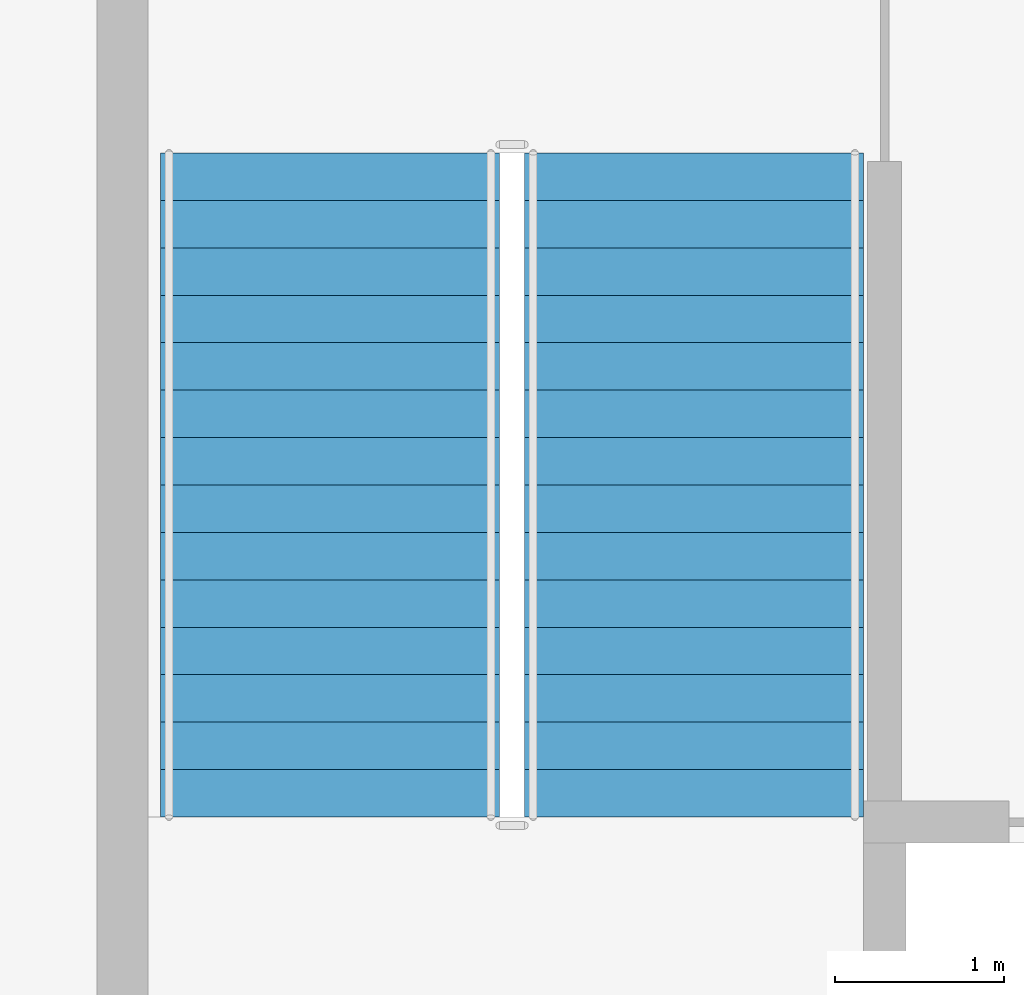
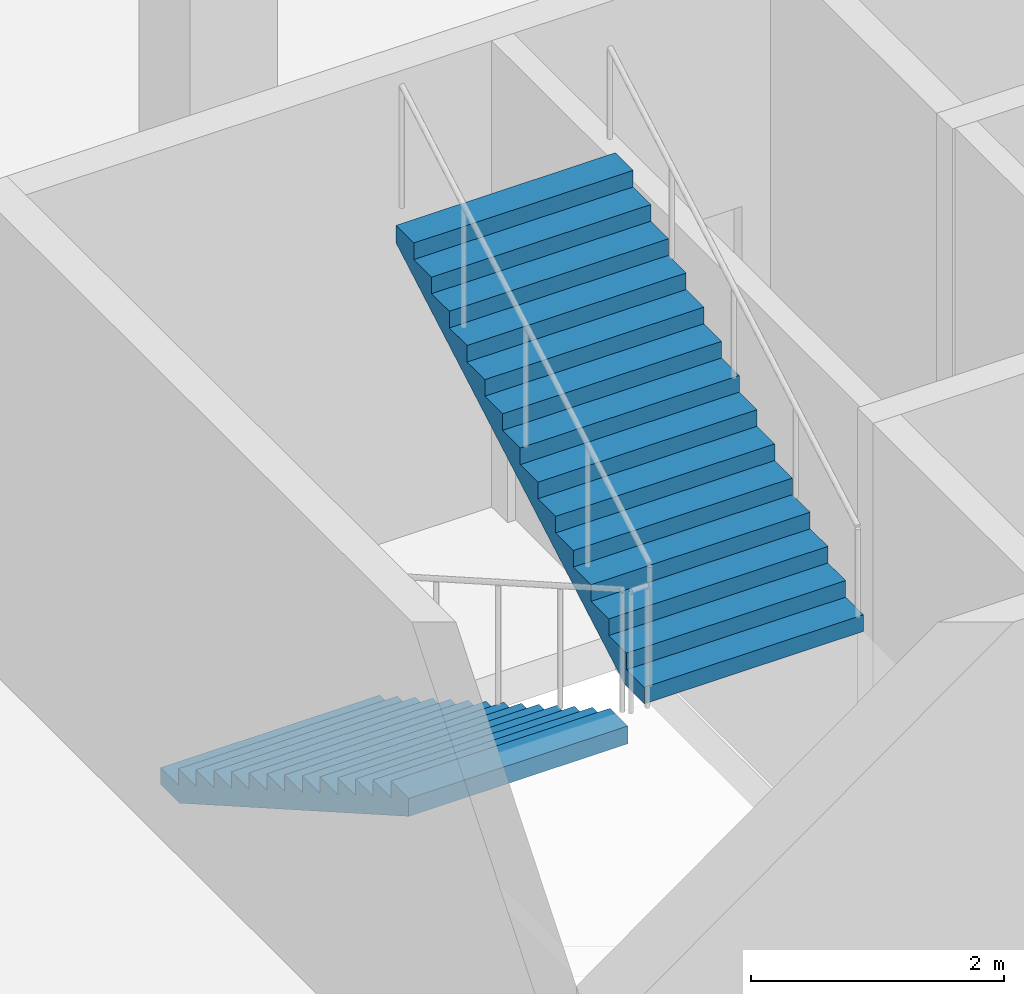
# One storey, part 9 of 13: 2 stair flights, 1 element without a shape of its own.
"""IFC4 building model written with IfcOpenShell, lengths in metres."""

import ifcopenshell
import ifcopenshell.guid

model = None  # the IFC model being written
_history = None  # IfcOwnerHistory: only IFC2X3 demands one
_inside = {}  # id of a spatial element -> (the spatial element, [elements in it])
_under = {}  # id of a project, library or spatial element -> (it, [spatial elements below it])
_declared = {}  # id of a project -> (the project, [libraries it declares])
_typed = {}  # id of a type object -> (the type object, [elements of that type])
_made_of = {}  # id of a material, layer set ... -> (it, [elements and type objects made of it])


def new_model(schema):
    """Start an empty IFC model of exactly this schema.

    Asked for "IFC4X3", IfcOpenShell would pick the latest addendum, in which some entities
    have other attributes; the version numbers below select the first issue.
    IFC2X3 requires an IfcOwnerHistory on every rooted entity: one is made here for all.
    """
    global model, _history
    if schema == "IFC4X3":
        model = ifcopenshell.file(schema_version=(4, 3, 0, 0))
    else:
        model = ifcopenshell.file(schema=schema)
    _inside.clear()
    _under.clear()
    _declared.clear()
    _typed.clear()
    _made_of.clear()
    _history = None
    if model.schema == "IFC2X3":
        org = make("IfcOrganization", Name="unknown")
        user = make(
            "IfcPersonAndOrganization",
            ThePerson=make("IfcPerson", FamilyName="unknown"),
            TheOrganization=org,
        )
        app = make(
            "IfcApplication",
            ApplicationDeveloper=org,
            Version="unknown",
            ApplicationFullName="unknown",
            ApplicationIdentifier="unknown",
        )
        _history = make(
            "IfcOwnerHistory",
            OwningUser=user,
            OwningApplication=app,
            ChangeAction="ADDED",
            CreationDate=0,
        )
    return model


def make(cls, **values):
    """One entity of the class cls with the attributes given. An attribute that is None is left unset."""
    return model.create_entity(
        cls, **{name: value for name, value in values.items() if value is not None}
    )


def rooted(cls, **values):
    """An entity with a GlobalId (a new one), such as an element, a storey or a relation."""
    return make(cls, GlobalId=ifcopenshell.guid.new(), OwnerHistory=_history, **values)


def si_unit(unit_type, name, prefix=None):
    """IfcSIUnit, for example si_unit("LENGTHUNIT", "METRE", prefix="MILLI")."""
    return make("IfcSIUnit", UnitType=unit_type, Prefix=prefix, Name=name)


def assignment(units):
    """IfcUnitAssignment: the units of a project."""
    return None if units is None else make("IfcUnitAssignment", Units=units)


def point(xyz):
    """IfcCartesianPoint."""
    return None if xyz is None else make("IfcCartesianPoint", Coordinates=xyz)


def direction(xyz):
    """IfcDirection."""
    return None if xyz is None else make("IfcDirection", DirectionRatios=xyz)


def frame(location, z_axis=None, x_axis=None):
    """IfcAxis2Placement3D, a coordinate frame: its origin and axes. An axis left out is left unset."""
    return make(
        "IfcAxis2Placement3D",
        Location=point(location),
        Axis=direction(z_axis),
        RefDirection=direction(x_axis),
    )


def origin():
    """The frame at (0, 0, 0) with its axes left unset."""
    return frame((0.0, 0.0, 0.0))


def place(relative_to, where):
    """IfcLocalPlacement: puts the frame where relative to a parent placement (None: the world)."""
    return make(
        "IfcLocalPlacement", PlacementRelTo=relative_to, RelativePlacement=where
    )


def context(
    kind, dimensions, precision=None, world=None, true_north=None, identifier=None
):
    """IfcGeometricRepresentationContext, for example the 3D "Model" context."""
    return make(
        "IfcGeometricRepresentationContext",
        ContextIdentifier=identifier,
        ContextType=kind,
        CoordinateSpaceDimension=dimensions,
        Precision=precision,
        WorldCoordinateSystem=world,
        TrueNorth=true_north,
    )


def subcontext(parent, identifier, kind, view, scale=None):
    """IfcGeometricRepresentationSubContext, for example "Body" below "Model"."""
    return make(
        "IfcGeometricRepresentationSubContext",
        ContextIdentifier=identifier,
        ContextType=kind,
        ParentContext=parent,
        TargetScale=scale,
        TargetView=view,
    )


def project(units=None, contexts=None):
    """IfcProject with its units and contexts."""
    return rooted(
        "IfcProject",
        Name="project",
        RepresentationContexts=contexts,
        UnitsInContext=assignment(units),
    )


def spatial(cls, under=None, at=None, **own):
    """A site, building, storey or space (cls), placed at a placement, below another one or the project."""
    s = rooted(cls, ObjectPlacement=at, **own)
    if under is not None:
        _under.setdefault(under.id(), (under, []))[1].append(s)
    return s


def point_list(points):
    """IfcCartesianPointList2D or 3D."""
    cls = (
        "IfcCartesianPointList2D" if len(points[0]) == 2 else "IfcCartesianPointList3D"
    )
    return make(cls, CoordList=points)


def polygons(points, faces, closed=None, point_numbers=None):
    """IfcPolygonalFaceSet: a face is its outer loop, then its inner loops; points numbered from 1."""
    made = []
    for loops in faces:
        if len(loops) == 1:
            made.append(make("IfcIndexedPolygonalFace", CoordIndex=loops[0]))
        else:
            made.append(
                make(
                    "IfcIndexedPolygonalFaceWithVoids",
                    CoordIndex=loops[0],
                    InnerCoordIndices=loops[1:],
                )
            )
    return make(
        "IfcPolygonalFaceSet",
        Coordinates=point_list(points),
        Closed=closed,
        Faces=made,
        PnIndex=point_numbers,
    )


def shape(context_of_items, identifier, shape_type, items):
    """IfcShapeRepresentation: the items that make up one representation, for example the "Body"."""
    return make(
        "IfcShapeRepresentation",
        ContextOfItems=context_of_items,
        RepresentationIdentifier=identifier,
        RepresentationType=shape_type,
        Items=items,
    )


def material(Name=None, Category=None):
    """IfcMaterial."""
    return make("IfcMaterial", Name=Name, Category=Category)


def made_of(thing, what):
    """Note that an element or type object is made of a material, layer set ...; save() writes the relation."""
    if what is not None:
        _made_of.setdefault(what.id(), (what, []))[1].append(thing)
    return thing


def type_object(cls, material=None, **own):
    """A type object (cls), such as IfcWallType, which elements share."""
    return made_of(rooted(cls, **own), material)


def element(
    cls,
    number,
    at=None,
    inside=None,
    cuts=None,
    type_object=None,
    material=None,
    context=None,
    identifier="Body",
    shape_type=None,
    held_by="IfcProductDefinitionShape",
    body=None,
    shapes=None,
    **own,
):
    """One element of the class cls, such as IfcWall. Its Tag is "e" and its number.

    at: its placement. inside: the storey or other place that contains it. cuts: it is an
    opening in that element (IfcRelVoidsElement). A single representation is given by context,
    identifier, shape_type and body (its items); several are given by shapes. held_by: the class
    of the entity that holds the representations. save() writes the other relations.
    """
    e = rooted(cls, Tag="e%d" % number, ObjectPlacement=at, **own)
    if body is not None:
        shapes = [shape(context, identifier, shape_type, body)]
    if shapes is not None:
        e.Representation = make(held_by, Representations=shapes)
    if inside is not None:
        _inside.setdefault(inside.id(), (inside, []))[1].append(e)
    if cuts is not None:
        rooted(
            "IfcRelVoidsElement", RelatingBuildingElement=cuts, RelatedOpeningElement=e
        )
    if type_object is not None:
        _typed.setdefault(type_object.id(), (type_object, []))[1].append(e)
    return made_of(e, material)


def aggregate(whole, parts):
    """IfcRelAggregates: a whole, such as a stair, and the parts it consists of."""
    return rooted("IfcRelAggregates", RelatingObject=whole, RelatedObjects=parts)


def save(model, path):
    """Write the relations noted so far, then the file.

    IfcRelAggregates (storeys below a building ...), IfcRelContainedInSpatialStructure (elements
    in a storey), IfcRelDefinesByType, IfcRelAssociatesMaterial and IfcRelDeclares: one each for
    every whole, place, type object, material and project.
    """
    for whole, parts in _under.values():
        aggregate(whole, parts)
    for where, things in _inside.values():
        rooted(
            "IfcRelContainedInSpatialStructure",
            RelatedElements=things,
            RelatingStructure=where,
        )
    for kind, things in _typed.values():
        rooted("IfcRelDefinesByType", RelatedObjects=things, RelatingType=kind)
    for what, things in _made_of.values():
        rooted("IfcRelAssociatesMaterial", RelatedObjects=things, RelatingMaterial=what)
    for by, libraries in _declared.values():
        rooted("IfcRelDeclares", RelatingContext=by, RelatedDefinitions=libraries)
    model.write(path)


model = new_model("IFC4")

# Units and contexts
model_context = context("Model", 3, precision=1e-05, world=origin(), true_north=direction((0.0, 1.0)))
body_context = subcontext(model_context, "Body", "Model", "MODEL_VIEW")
ifc_project = project(units=[si_unit("LENGTHUNIT", "METRE"), si_unit("AREAUNIT", "SQUARE_METRE"), si_unit("VOLUMEUNIT", "CUBIC_METRE"), si_unit("PLANEANGLEUNIT", "RADIAN"), si_unit("MASSUNIT", "GRAM", prefix="KILO")], contexts=[model_context])

# Site, building, storey
site_placement = place(None, origin())
site = spatial("IfcSite", under=ifc_project, at=site_placement, CompositionType="ELEMENT")
building_placement = place(site_placement, origin())
building = spatial("IfcBuilding", under=site, at=building_placement, Name="Caravel Reach Hotel and Residences", CompositionType="ELEMENT")
storey_placement = place(building_placement, frame((0.0, 0.0, 28.800048828125)))
storey = spatial("IfcBuildingStorey", under=building, at=storey_placement, Name="L05", CompositionType="ELEMENT", Elevation=28.800048828125)

# Stair, stair flights
ifc_material_1 = material(Name="Concrete C40", Category="concrete")
stair_type = type_object("IfcStairType", Name="Core stair", PredefinedType="HALF_TURN_STAIR", material=ifc_material_1)
stair_placement = place(storey_placement, origin())
stair = element("IfcStair", 1, at=stair_placement, inside=storey, type_object=stair_type, Name="L05 Exit stair A", PredefinedType="HALF_TURN_STAIR")
ifc_material_2 = material(Name="Concrete C40", Category="concrete")
stair_flight_type = type_object("IfcStairFlightType", Name="Core stair flight", PredefinedType="STRAIGHT", material=ifc_material_2)
stair_flight_1_placement = place(storey_placement, frame((19.22509765625, 29.35009765625, 0.0), z_axis=(0.0, 0.0, 1.0), x_axis=(0.0, -1.0, 0.0)))
stair_flight_1 = element("IfcStairFlight", 2, at=stair_flight_1_placement, type_object=stair_flight_type, Name="ST-A flight 1", NumberOfRisers=15, NumberOfTreads=14, PredefinedType="STRAIGHT", RiserHeight=0.16, TreadLength=0.28, context=body_context, shape_type="Tessellation", body=[
    polygons([(0.30213783309663755, 1.0, 0.0), (0.30213783309663755, 0.6666666666666667, 0.0), (0.30213783309663755, 0.33333333333333337, 0.0), (0.30213783309663755, 0.0, 0.0), (0.30213783309663755, -0.33333333333333326, 0.0), (0.30213783309663755, -0.6666666666666667, 0.0), (0.30213783309663755, -1.0, 0.0), (3.9210000000000003, 1.0, 2.0673498096590643), (3.9210000000000003, 0.6666666666666667, 2.0673498096590643), (3.9210000000000003, 0.33333333333333337, 2.0673498096590643), (3.9210000000000003, 0.0, 2.0673498096590643), (3.9210000000000003, -0.33333333333333326, 2.0673498096590643), (3.9210000000000003, -0.6666666666666667, 2.0673498096590643), (3.9210000000000003, -1.0, 2.0673498096590643), (3.9210000000000003, 1.0, 2.24), (3.9210000000000003, 0.6666666666666667, 2.24), (3.9210000000000003, 0.33333333333333337, 2.24), (3.9210000000000003, 0.0, 2.24), (3.9210000000000003, -0.33333333333333326, 2.24), (3.9210000000000003, -0.6666666666666667, 2.24), (3.9210000000000003, -1.0, 2.24), (3.6400000000000006, 1.0, 2.24), (3.6400000000000006, 0.6666666666666667, 2.24), (3.6400000000000006, 0.33333333333333337, 2.24), (3.6400000000000006, 0.0, 2.24), (3.6400000000000006, -0.33333333333333326, 2.24), (3.6400000000000006, -0.6666666666666667, 2.24), (3.6400000000000006, -1.0, 2.24), (3.6400000000000006, 1.0, 2.08), (3.6400000000000006, 0.6666666666666667, 2.08), (3.6400000000000006, 0.33333333333333337, 2.08), (3.6400000000000006, 0.0, 2.08), (3.6400000000000006, -0.33333333333333326, 2.08), (3.6400000000000006, -0.6666666666666667, 2.08), (3.6400000000000006, -1.0, 2.08), (3.3600000000000003, 1.0, 2.08), (3.3600000000000003, 0.6666666666666667, 2.08), (3.3600000000000003, 0.33333333333333337, 2.08), (3.3600000000000003, 0.0, 2.08), (3.3600000000000003, -0.33333333333333326, 2.08), (3.3600000000000003, -0.6666666666666667, 2.08), (3.3600000000000003, -1.0, 2.08), (3.3600000000000003, 1.0, 1.92), (3.3600000000000003, 0.6666666666666667, 1.92), (3.3600000000000003, 0.33333333333333337, 1.92), (3.3600000000000003, 0.0, 1.92), (3.3600000000000003, -0.33333333333333326, 1.92), (3.3600000000000003, -0.6666666666666667, 1.92), (3.3600000000000003, -1.0, 1.92), (3.08, 1.0, 1.92), (3.08, 0.6666666666666667, 1.92), (3.08, 0.33333333333333337, 1.92), (3.08, 0.0, 1.92), (3.08, -0.33333333333333326, 1.92), (3.08, -0.6666666666666667, 1.92), (3.08, -1.0, 1.92), (3.08, 1.0, 1.76), (3.08, 0.6666666666666667, 1.76), (3.08, 0.33333333333333337, 1.76), (3.08, 0.0, 1.76), (3.08, -0.33333333333333326, 1.76), (3.08, -0.6666666666666667, 1.76), (3.08, -1.0, 1.76), (2.8000000000000003, 1.0, 1.76), (2.8000000000000003, 0.6666666666666667, 1.76), (2.8000000000000003, 0.33333333333333337, 1.76), (2.8000000000000003, 0.0, 1.76), (2.8000000000000003, -0.33333333333333326, 1.76), (2.8000000000000003, -0.6666666666666667, 1.76), (2.8000000000000003, -1.0, 1.76), (2.8000000000000003, 1.0, 1.6), (2.8000000000000003, 0.6666666666666667, 1.6), (2.8000000000000003, 0.33333333333333337, 1.6), (2.8000000000000003, 0.0, 1.6), (2.8000000000000003, -0.33333333333333326, 1.6), (2.8000000000000003, -0.6666666666666667, 1.6), (2.8000000000000003, -1.0, 1.6), (2.5200000000000005, 1.0, 1.6), (2.5200000000000005, 0.6666666666666667, 1.6), (2.5200000000000005, 0.33333333333333337, 1.6), (2.5200000000000005, 0.0, 1.6), (2.5200000000000005, -0.33333333333333326, 1.6), (2.5200000000000005, -0.6666666666666667, 1.6), (2.5200000000000005, -1.0, 1.6), (2.5200000000000005, 1.0, 1.44), (2.5200000000000005, 0.6666666666666667, 1.44), (2.5200000000000005, 0.33333333333333337, 1.44), (2.5200000000000005, 0.0, 1.44), (2.5200000000000005, -0.33333333333333326, 1.44), (2.5200000000000005, -0.6666666666666667, 1.44), (2.5200000000000005, -1.0, 1.44), (2.24, 1.0, 1.44), (2.24, 0.6666666666666667, 1.44), (2.24, 0.33333333333333337, 1.44), (2.24, 0.0, 1.44), (2.24, -0.33333333333333326, 1.44), (2.24, -0.6666666666666667, 1.44), (2.24, -1.0, 1.44), (2.24, 1.0, 1.28), (2.24, 0.6666666666666667, 1.28), (2.24, 0.33333333333333337, 1.28), (2.24, 0.0, 1.28), (2.24, -0.33333333333333326, 1.28), (2.24, -0.6666666666666667, 1.28), (2.24, -1.0, 1.28), (1.9600000000000002, 1.0, 1.28), (1.9600000000000002, 0.6666666666666667, 1.28), (1.9600000000000002, 0.33333333333333337, 1.28), (1.9600000000000002, 0.0, 1.28), (1.9600000000000002, -0.33333333333333326, 1.28), (1.9600000000000002, -0.6666666666666667, 1.28), (1.9600000000000002, -1.0, 1.28), (1.9600000000000002, 1.0, 1.12), (1.9600000000000002, 0.6666666666666667, 1.12), (1.9600000000000002, 0.33333333333333337, 1.12), (1.9600000000000002, 0.0, 1.12), (1.9600000000000002, -0.33333333333333326, 1.12), (1.9600000000000002, -0.6666666666666667, 1.12), (1.9600000000000002, -1.0, 1.12), (1.6800000000000002, 1.0, 1.12), (1.6800000000000002, 0.6666666666666667, 1.12), (1.6800000000000002, 0.33333333333333337, 1.12), (1.6800000000000002, 0.0, 1.12), (1.6800000000000002, -0.33333333333333326, 1.12), (1.6800000000000002, -0.6666666666666667, 1.12), (1.6800000000000002, -1.0, 1.12), (1.6800000000000002, 1.0, 0.96), (1.6800000000000002, 0.6666666666666667, 0.96), (1.6800000000000002, 0.33333333333333337, 0.96), (1.6800000000000002, 0.0, 0.96), (1.6800000000000002, -0.33333333333333326, 0.96), (1.6800000000000002, -0.6666666666666667, 0.96), (1.6800000000000002, -1.0, 0.96), (1.4000000000000001, 1.0, 0.96), (1.4000000000000001, 0.6666666666666667, 0.96), (1.4000000000000001, 0.33333333333333337, 0.96), (1.4000000000000001, 0.0, 0.96), (1.4000000000000001, -0.33333333333333326, 0.96), (1.4000000000000001, -0.6666666666666667, 0.96), (1.4000000000000001, -1.0, 0.96), (1.4000000000000001, 1.0, 0.8), (1.4000000000000001, 0.6666666666666667, 0.8), (1.4000000000000001, 0.33333333333333337, 0.8), (1.4000000000000001, 0.0, 0.8), (1.4000000000000001, -0.33333333333333326, 0.8), (1.4000000000000001, -0.6666666666666667, 0.8), (1.4000000000000001, -1.0, 0.8), (1.12, 1.0, 0.8), (1.12, 0.6666666666666667, 0.8), (1.12, 0.33333333333333337, 0.8), (1.12, 0.0, 0.8), (1.12, -0.33333333333333326, 0.8), (1.12, -0.6666666666666667, 0.8), (1.12, -1.0, 0.8), (1.12, 1.0, 0.64), (1.12, 0.6666666666666667, 0.64), (1.12, 0.33333333333333337, 0.64), (1.12, 0.0, 0.64), (1.12, -0.33333333333333326, 0.64), (1.12, -0.6666666666666667, 0.64), (1.12, -1.0, 0.64), (0.8400000000000001, 1.0, 0.64), (0.8400000000000001, 0.6666666666666667, 0.64), (0.8400000000000001, 0.33333333333333337, 0.64), (0.8400000000000001, 0.0, 0.64), (0.8400000000000001, -0.33333333333333326, 0.64), (0.8400000000000001, -0.6666666666666667, 0.64), (0.8400000000000001, -1.0, 0.64), (0.8400000000000001, 1.0, 0.48), (0.8400000000000001, 0.6666666666666667, 0.48), (0.8400000000000001, 0.33333333333333337, 0.48), (0.8400000000000001, 0.0, 0.48), (0.8400000000000001, -0.33333333333333326, 0.48), (0.8400000000000001, -0.6666666666666667, 0.48), (0.8400000000000001, -1.0, 0.48), (0.56, 1.0, 0.48), (0.56, 0.6666666666666667, 0.48), (0.56, 0.33333333333333337, 0.48), (0.56, 0.0, 0.48), (0.56, -0.33333333333333326, 0.48), (0.56, -0.6666666666666667, 0.48), (0.56, -1.0, 0.48), (0.56, 1.0, 0.32), (0.56, 0.6666666666666667, 0.32), (0.56, 0.33333333333333337, 0.32), (0.56, 0.0, 0.32), (0.56, -0.33333333333333326, 0.32), (0.56, -0.6666666666666667, 0.32), (0.56, -1.0, 0.32), (0.28, 1.0, 0.32), (0.28, 0.6666666666666667, 0.32), (0.28, 0.33333333333333337, 0.32), (0.28, 0.0, 0.32), (0.28, -0.33333333333333326, 0.32), (0.28, -0.6666666666666667, 0.32), (0.28, -1.0, 0.32), (0.28, 1.0, 0.16), (0.28, 0.6666666666666667, 0.16), (0.28, 0.33333333333333337, 0.16), (0.28, 0.0, 0.16), (0.28, -0.33333333333333326, 0.16), (0.28, -0.6666666666666667, 0.16), (0.28, -1.0, 0.16), (-0.001, 1.0, 0.16), (-0.001, 0.6666666666666667, 0.16), (-0.001, 0.33333333333333337, 0.16), (-0.001, 0.0, 0.16), (-0.001, -0.33333333333333326, 0.16), (-0.001, -0.6666666666666667, 0.16), (-0.001, -1.0, 0.16), (-0.001, 1.0, 0.0), (-0.001, 0.6666666666666667, 0.0), (-0.001, 0.33333333333333337, 0.0), (-0.001, 0.0, 0.0), (-0.001, -0.33333333333333326, 0.0), (-0.001, -0.6666666666666667, 0.0), (-0.001, -1.0, 0.0)], [[[211, 204, 197, 190, 183, 176, 169, 162, 155, 148, 141, 134, 127, 120, 113, 106, 99, 92, 85, 78, 71, 64, 57, 50, 43, 36, 29, 22, 15, 8, 1]], [[7, 14, 21, 28, 35, 42, 49, 56, 63, 70, 77, 84, 91, 98, 105, 112, 119, 126, 133, 140, 147, 154, 161, 168, 175, 182, 189, 196, 203, 210, 217]], [[1, 8, 9, 2]], [[2, 9, 10, 3]], [[3, 10, 11, 4]], [[4, 11, 12, 5]], [[5, 12, 13, 6]], [[6, 13, 14, 7]], [[8, 15, 16, 9]], [[9, 16, 17, 10]], [[10, 17, 18, 11]], [[11, 18, 19, 12]], [[12, 19, 20, 13]], [[13, 20, 21, 14]], [[15, 22, 23, 16]], [[16, 23, 24, 17]], [[17, 24, 25, 18]], [[18, 25, 26, 19]], [[19, 26, 27, 20]], [[20, 27, 28, 21]], [[22, 29, 30, 23]], [[23, 30, 31, 24]], [[24, 31, 32, 25]], [[25, 32, 33, 26]], [[26, 33, 34, 27]], [[27, 34, 35, 28]], [[29, 36, 37, 30]], [[30, 37, 38, 31]], [[31, 38, 39, 32]], [[32, 39, 40, 33]], [[33, 40, 41, 34]], [[34, 41, 42, 35]], [[36, 43, 44, 37]], [[37, 44, 45, 38]], [[38, 45, 46, 39]], [[39, 46, 47, 40]], [[40, 47, 48, 41]], [[41, 48, 49, 42]], [[43, 50, 51, 44]], [[44, 51, 52, 45]], [[45, 52, 53, 46]], [[46, 53, 54, 47]], [[47, 54, 55, 48]], [[48, 55, 56, 49]], [[50, 57, 58, 51]], [[51, 58, 59, 52]], [[52, 59, 60, 53]], [[53, 60, 61, 54]], [[54, 61, 62, 55]], [[55, 62, 63, 56]], [[57, 64, 65, 58]], [[58, 65, 66, 59]], [[59, 66, 67, 60]], [[60, 67, 68, 61]], [[61, 68, 69, 62]], [[62, 69, 70, 63]], [[64, 71, 72, 65]], [[65, 72, 73, 66]], [[66, 73, 74, 67]], [[67, 74, 75, 68]], [[68, 75, 76, 69]], [[69, 76, 77, 70]], [[71, 78, 79, 72]], [[72, 79, 80, 73]], [[73, 80, 81, 74]], [[74, 81, 82, 75]], [[75, 82, 83, 76]], [[76, 83, 84, 77]], [[78, 85, 86, 79]], [[79, 86, 87, 80]], [[80, 87, 88, 81]], [[81, 88, 89, 82]], [[82, 89, 90, 83]], [[83, 90, 91, 84]], [[85, 92, 93, 86]], [[86, 93, 94, 87]], [[87, 94, 95, 88]], [[88, 95, 96, 89]], [[89, 96, 97, 90]], [[90, 97, 98, 91]], [[92, 99, 100, 93]], [[93, 100, 101, 94]], [[94, 101, 102, 95]], [[95, 102, 103, 96]], [[96, 103, 104, 97]], [[97, 104, 105, 98]], [[99, 106, 107, 100]], [[100, 107, 108, 101]], [[101, 108, 109, 102]], [[102, 109, 110, 103]], [[103, 110, 111, 104]], [[104, 111, 112, 105]], [[106, 113, 114, 107]], [[107, 114, 115, 108]], [[108, 115, 116, 109]], [[109, 116, 117, 110]], [[110, 117, 118, 111]], [[111, 118, 119, 112]], [[113, 120, 121, 114]], [[114, 121, 122, 115]], [[115, 122, 123, 116]], [[116, 123, 124, 117]], [[117, 124, 125, 118]], [[118, 125, 126, 119]], [[120, 127, 128, 121]], [[121, 128, 129, 122]], [[122, 129, 130, 123]], [[123, 130, 131, 124]], [[124, 131, 132, 125]], [[125, 132, 133, 126]], [[127, 134, 135, 128]], [[128, 135, 136, 129]], [[129, 136, 137, 130]], [[130, 137, 138, 131]], [[131, 138, 139, 132]], [[132, 139, 140, 133]], [[134, 141, 142, 135]], [[135, 142, 143, 136]], [[136, 143, 144, 137]], [[137, 144, 145, 138]], [[138, 145, 146, 139]], [[139, 146, 147, 140]], [[141, 148, 149, 142]], [[142, 149, 150, 143]], [[143, 150, 151, 144]], [[144, 151, 152, 145]], [[145, 152, 153, 146]], [[146, 153, 154, 147]], [[148, 155, 156, 149]], [[149, 156, 157, 150]], [[150, 157, 158, 151]], [[151, 158, 159, 152]], [[152, 159, 160, 153]], [[153, 160, 161, 154]], [[155, 162, 163, 156]], [[156, 163, 164, 157]], [[157, 164, 165, 158]], [[158, 165, 166, 159]], [[159, 166, 167, 160]], [[160, 167, 168, 161]], [[162, 169, 170, 163]], [[163, 170, 171, 164]], [[164, 171, 172, 165]], [[165, 172, 173, 166]], [[166, 173, 174, 167]], [[167, 174, 175, 168]], [[169, 176, 177, 170]], [[170, 177, 178, 171]], [[171, 178, 179, 172]], [[172, 179, 180, 173]], [[173, 180, 181, 174]], [[174, 181, 182, 175]], [[176, 183, 184, 177]], [[177, 184, 185, 178]], [[178, 185, 186, 179]], [[179, 186, 187, 180]], [[180, 187, 188, 181]], [[181, 188, 189, 182]], [[183, 190, 191, 184]], [[184, 191, 192, 185]], [[185, 192, 193, 186]], [[186, 193, 194, 187]], [[187, 194, 195, 188]], [[188, 195, 196, 189]], [[190, 197, 198, 191]], [[191, 198, 199, 192]], [[192, 199, 200, 193]], [[193, 200, 201, 194]], [[194, 201, 202, 195]], [[195, 202, 203, 196]], [[197, 204, 205, 198]], [[198, 205, 206, 199]], [[199, 206, 207, 200]], [[200, 207, 208, 201]], [[201, 208, 209, 202]], [[202, 209, 210, 203]], [[204, 211, 212, 205]], [[205, 212, 213, 206]], [[206, 213, 214, 207]], [[207, 214, 215, 208]], [[208, 215, 216, 209]], [[209, 216, 217, 210]], [[211, 1, 2, 212]], [[212, 2, 3, 213]], [[213, 3, 4, 214]], [[214, 4, 5, 215]], [[215, 5, 6, 216]], [[216, 6, 7, 217]]], closed=True),
])
stair_flight_2_placement = place(storey_placement, frame((21.375, 25.429931640625, 2.39990234375), z_axis=(0.0, 0.0, 1.0), x_axis=(0.0, 1.0, 0.0)))
stair_flight_2 = element("IfcStairFlight", 3, at=stair_flight_2_placement, type_object=stair_flight_type, Name="ST-A flight 2", NumberOfRisers=15, NumberOfTreads=14, PredefinedType="STRAIGHT", RiserHeight=0.16, TreadLength=0.28, context=body_context, shape_type="Tessellation", body=[
    polygons([(0.30213783309663755, 1.0, 0.0), (0.30213783309663755, 0.6666666666666667, 0.0), (0.30213783309663755, 0.33333333333333337, 0.0), (0.30213783309663755, 0.0, 0.0), (0.30213783309663755, -0.33333333333333326, 0.0), (0.30213783309663755, -0.6666666666666667, 0.0), (0.30213783309663755, -1.0, 0.0), (3.9210000000000003, 1.0, 2.0673498096590643), (3.9210000000000003, 0.6666666666666667, 2.0673498096590643), (3.9210000000000003, 0.33333333333333337, 2.0673498096590643), (3.9210000000000003, 0.0, 2.0673498096590643), (3.9210000000000003, -0.33333333333333326, 2.0673498096590643), (3.9210000000000003, -0.6666666666666667, 2.0673498096590643), (3.9210000000000003, -1.0, 2.0673498096590643), (3.9210000000000003, 1.0, 2.24), (3.9210000000000003, 0.6666666666666667, 2.24), (3.9210000000000003, 0.33333333333333337, 2.24), (3.9210000000000003, 0.0, 2.24), (3.9210000000000003, -0.33333333333333326, 2.24), (3.9210000000000003, -0.6666666666666667, 2.24), (3.9210000000000003, -1.0, 2.24), (3.6400000000000006, 1.0, 2.24), (3.6400000000000006, 0.6666666666666667, 2.24), (3.6400000000000006, 0.33333333333333337, 2.24), (3.6400000000000006, 0.0, 2.24), (3.6400000000000006, -0.33333333333333326, 2.24), (3.6400000000000006, -0.6666666666666667, 2.24), (3.6400000000000006, -1.0, 2.24), (3.6400000000000006, 1.0, 2.08), (3.6400000000000006, 0.6666666666666667, 2.08), (3.6400000000000006, 0.33333333333333337, 2.08), (3.6400000000000006, 0.0, 2.08), (3.6400000000000006, -0.33333333333333326, 2.08), (3.6400000000000006, -0.6666666666666667, 2.08), (3.6400000000000006, -1.0, 2.08), (3.3600000000000003, 1.0, 2.08), (3.3600000000000003, 0.6666666666666667, 2.08), (3.3600000000000003, 0.33333333333333337, 2.08), (3.3600000000000003, 0.0, 2.08), (3.3600000000000003, -0.33333333333333326, 2.08), (3.3600000000000003, -0.6666666666666667, 2.08), (3.3600000000000003, -1.0, 2.08), (3.3600000000000003, 1.0, 1.92), (3.3600000000000003, 0.6666666666666667, 1.92), (3.3600000000000003, 0.33333333333333337, 1.92), (3.3600000000000003, 0.0, 1.92), (3.3600000000000003, -0.33333333333333326, 1.92), (3.3600000000000003, -0.6666666666666667, 1.92), (3.3600000000000003, -1.0, 1.92), (3.08, 1.0, 1.92), (3.08, 0.6666666666666667, 1.92), (3.08, 0.33333333333333337, 1.92), (3.08, 0.0, 1.92), (3.08, -0.33333333333333326, 1.92), (3.08, -0.6666666666666667, 1.92), (3.08, -1.0, 1.92), (3.08, 1.0, 1.76), (3.08, 0.6666666666666667, 1.76), (3.08, 0.33333333333333337, 1.76), (3.08, 0.0, 1.76), (3.08, -0.33333333333333326, 1.76), (3.08, -0.6666666666666667, 1.76), (3.08, -1.0, 1.76), (2.8000000000000003, 1.0, 1.76), (2.8000000000000003, 0.6666666666666667, 1.76), (2.8000000000000003, 0.33333333333333337, 1.76), (2.8000000000000003, 0.0, 1.76), (2.8000000000000003, -0.33333333333333326, 1.76), (2.8000000000000003, -0.6666666666666667, 1.76), (2.8000000000000003, -1.0, 1.76), (2.8000000000000003, 1.0, 1.6), (2.8000000000000003, 0.6666666666666667, 1.6), (2.8000000000000003, 0.33333333333333337, 1.6), (2.8000000000000003, 0.0, 1.6), (2.8000000000000003, -0.33333333333333326, 1.6), (2.8000000000000003, -0.6666666666666667, 1.6), (2.8000000000000003, -1.0, 1.6), (2.5200000000000005, 1.0, 1.6), (2.5200000000000005, 0.6666666666666667, 1.6), (2.5200000000000005, 0.33333333333333337, 1.6), (2.5200000000000005, 0.0, 1.6), (2.5200000000000005, -0.33333333333333326, 1.6), (2.5200000000000005, -0.6666666666666667, 1.6), (2.5200000000000005, -1.0, 1.6), (2.5200000000000005, 1.0, 1.44), (2.5200000000000005, 0.6666666666666667, 1.44), (2.5200000000000005, 0.33333333333333337, 1.44), (2.5200000000000005, 0.0, 1.44), (2.5200000000000005, -0.33333333333333326, 1.44), (2.5200000000000005, -0.6666666666666667, 1.44), (2.5200000000000005, -1.0, 1.44), (2.24, 1.0, 1.44), (2.24, 0.6666666666666667, 1.44), (2.24, 0.33333333333333337, 1.44), (2.24, 0.0, 1.44), (2.24, -0.33333333333333326, 1.44), (2.24, -0.6666666666666667, 1.44), (2.24, -1.0, 1.44), (2.24, 1.0, 1.28), (2.24, 0.6666666666666667, 1.28), (2.24, 0.33333333333333337, 1.28), (2.24, 0.0, 1.28), (2.24, -0.33333333333333326, 1.28), (2.24, -0.6666666666666667, 1.28), (2.24, -1.0, 1.28), (1.9600000000000002, 1.0, 1.28), (1.9600000000000002, 0.6666666666666667, 1.28), (1.9600000000000002, 0.33333333333333337, 1.28), (1.9600000000000002, 0.0, 1.28), (1.9600000000000002, -0.33333333333333326, 1.28), (1.9600000000000002, -0.6666666666666667, 1.28), (1.9600000000000002, -1.0, 1.28), (1.9600000000000002, 1.0, 1.12), (1.9600000000000002, 0.6666666666666667, 1.12), (1.9600000000000002, 0.33333333333333337, 1.12), (1.9600000000000002, 0.0, 1.12), (1.9600000000000002, -0.33333333333333326, 1.12), (1.9600000000000002, -0.6666666666666667, 1.12), (1.9600000000000002, -1.0, 1.12), (1.6800000000000002, 1.0, 1.12), (1.6800000000000002, 0.6666666666666667, 1.12), (1.6800000000000002, 0.33333333333333337, 1.12), (1.6800000000000002, 0.0, 1.12), (1.6800000000000002, -0.33333333333333326, 1.12), (1.6800000000000002, -0.6666666666666667, 1.12), (1.6800000000000002, -1.0, 1.12), (1.6800000000000002, 1.0, 0.96), (1.6800000000000002, 0.6666666666666667, 0.96), (1.6800000000000002, 0.33333333333333337, 0.96), (1.6800000000000002, 0.0, 0.96), (1.6800000000000002, -0.33333333333333326, 0.96), (1.6800000000000002, -0.6666666666666667, 0.96), (1.6800000000000002, -1.0, 0.96), (1.4000000000000001, 1.0, 0.96), (1.4000000000000001, 0.6666666666666667, 0.96), (1.4000000000000001, 0.33333333333333337, 0.96), (1.4000000000000001, 0.0, 0.96), (1.4000000000000001, -0.33333333333333326, 0.96), (1.4000000000000001, -0.6666666666666667, 0.96), (1.4000000000000001, -1.0, 0.96), (1.4000000000000001, 1.0, 0.8), (1.4000000000000001, 0.6666666666666667, 0.8), (1.4000000000000001, 0.33333333333333337, 0.8), (1.4000000000000001, 0.0, 0.8), (1.4000000000000001, -0.33333333333333326, 0.8), (1.4000000000000001, -0.6666666666666667, 0.8), (1.4000000000000001, -1.0, 0.8), (1.12, 1.0, 0.8), (1.12, 0.6666666666666667, 0.8), (1.12, 0.33333333333333337, 0.8), (1.12, 0.0, 0.8), (1.12, -0.33333333333333326, 0.8), (1.12, -0.6666666666666667, 0.8), (1.12, -1.0, 0.8), (1.12, 1.0, 0.64), (1.12, 0.6666666666666667, 0.64), (1.12, 0.33333333333333337, 0.64), (1.12, 0.0, 0.64), (1.12, -0.33333333333333326, 0.64), (1.12, -0.6666666666666667, 0.64), (1.12, -1.0, 0.64), (0.8400000000000001, 1.0, 0.64), (0.8400000000000001, 0.6666666666666667, 0.64), (0.8400000000000001, 0.33333333333333337, 0.64), (0.8400000000000001, 0.0, 0.64), (0.8400000000000001, -0.33333333333333326, 0.64), (0.8400000000000001, -0.6666666666666667, 0.64), (0.8400000000000001, -1.0, 0.64), (0.8400000000000001, 1.0, 0.48), (0.8400000000000001, 0.6666666666666667, 0.48), (0.8400000000000001, 0.33333333333333337, 0.48), (0.8400000000000001, 0.0, 0.48), (0.8400000000000001, -0.33333333333333326, 0.48), (0.8400000000000001, -0.6666666666666667, 0.48), (0.8400000000000001, -1.0, 0.48), (0.56, 1.0, 0.48), (0.56, 0.6666666666666667, 0.48), (0.56, 0.33333333333333337, 0.48), (0.56, 0.0, 0.48), (0.56, -0.33333333333333326, 0.48), (0.56, -0.6666666666666667, 0.48), (0.56, -1.0, 0.48), (0.56, 1.0, 0.32), (0.56, 0.6666666666666667, 0.32), (0.56, 0.33333333333333337, 0.32), (0.56, 0.0, 0.32), (0.56, -0.33333333333333326, 0.32), (0.56, -0.6666666666666667, 0.32), (0.56, -1.0, 0.32), (0.28, 1.0, 0.32), (0.28, 0.6666666666666667, 0.32), (0.28, 0.33333333333333337, 0.32), (0.28, 0.0, 0.32), (0.28, -0.33333333333333326, 0.32), (0.28, -0.6666666666666667, 0.32), (0.28, -1.0, 0.32), (0.28, 1.0, 0.16), (0.28, 0.6666666666666667, 0.16), (0.28, 0.33333333333333337, 0.16), (0.28, 0.0, 0.16), (0.28, -0.33333333333333326, 0.16), (0.28, -0.6666666666666667, 0.16), (0.28, -1.0, 0.16), (-0.001, 1.0, 0.16), (-0.001, 0.6666666666666667, 0.16), (-0.001, 0.33333333333333337, 0.16), (-0.001, 0.0, 0.16), (-0.001, -0.33333333333333326, 0.16), (-0.001, -0.6666666666666667, 0.16), (-0.001, -1.0, 0.16), (-0.001, 1.0, 0.0), (-0.001, 0.6666666666666667, 0.0), (-0.001, 0.33333333333333337, 0.0), (-0.001, 0.0, 0.0), (-0.001, -0.33333333333333326, 0.0), (-0.001, -0.6666666666666667, 0.0), (-0.001, -1.0, 0.0)], [[[211, 204, 197, 190, 183, 176, 169, 162, 155, 148, 141, 134, 127, 120, 113, 106, 99, 92, 85, 78, 71, 64, 57, 50, 43, 36, 29, 22, 15, 8, 1]], [[7, 14, 21, 28, 35, 42, 49, 56, 63, 70, 77, 84, 91, 98, 105, 112, 119, 126, 133, 140, 147, 154, 161, 168, 175, 182, 189, 196, 203, 210, 217]], [[1, 8, 9, 2]], [[2, 9, 10, 3]], [[3, 10, 11, 4]], [[4, 11, 12, 5]], [[5, 12, 13, 6]], [[6, 13, 14, 7]], [[8, 15, 16, 9]], [[9, 16, 17, 10]], [[10, 17, 18, 11]], [[11, 18, 19, 12]], [[12, 19, 20, 13]], [[13, 20, 21, 14]], [[15, 22, 23, 16]], [[16, 23, 24, 17]], [[17, 24, 25, 18]], [[18, 25, 26, 19]], [[19, 26, 27, 20]], [[20, 27, 28, 21]], [[22, 29, 30, 23]], [[23, 30, 31, 24]], [[24, 31, 32, 25]], [[25, 32, 33, 26]], [[26, 33, 34, 27]], [[27, 34, 35, 28]], [[29, 36, 37, 30]], [[30, 37, 38, 31]], [[31, 38, 39, 32]], [[32, 39, 40, 33]], [[33, 40, 41, 34]], [[34, 41, 42, 35]], [[36, 43, 44, 37]], [[37, 44, 45, 38]], [[38, 45, 46, 39]], [[39, 46, 47, 40]], [[40, 47, 48, 41]], [[41, 48, 49, 42]], [[43, 50, 51, 44]], [[44, 51, 52, 45]], [[45, 52, 53, 46]], [[46, 53, 54, 47]], [[47, 54, 55, 48]], [[48, 55, 56, 49]], [[50, 57, 58, 51]], [[51, 58, 59, 52]], [[52, 59, 60, 53]], [[53, 60, 61, 54]], [[54, 61, 62, 55]], [[55, 62, 63, 56]], [[57, 64, 65, 58]], [[58, 65, 66, 59]], [[59, 66, 67, 60]], [[60, 67, 68, 61]], [[61, 68, 69, 62]], [[62, 69, 70, 63]], [[64, 71, 72, 65]], [[65, 72, 73, 66]], [[66, 73, 74, 67]], [[67, 74, 75, 68]], [[68, 75, 76, 69]], [[69, 76, 77, 70]], [[71, 78, 79, 72]], [[72, 79, 80, 73]], [[73, 80, 81, 74]], [[74, 81, 82, 75]], [[75, 82, 83, 76]], [[76, 83, 84, 77]], [[78, 85, 86, 79]], [[79, 86, 87, 80]], [[80, 87, 88, 81]], [[81, 88, 89, 82]], [[82, 89, 90, 83]], [[83, 90, 91, 84]], [[85, 92, 93, 86]], [[86, 93, 94, 87]], [[87, 94, 95, 88]], [[88, 95, 96, 89]], [[89, 96, 97, 90]], [[90, 97, 98, 91]], [[92, 99, 100, 93]], [[93, 100, 101, 94]], [[94, 101, 102, 95]], [[95, 102, 103, 96]], [[96, 103, 104, 97]], [[97, 104, 105, 98]], [[99, 106, 107, 100]], [[100, 107, 108, 101]], [[101, 108, 109, 102]], [[102, 109, 110, 103]], [[103, 110, 111, 104]], [[104, 111, 112, 105]], [[106, 113, 114, 107]], [[107, 114, 115, 108]], [[108, 115, 116, 109]], [[109, 116, 117, 110]], [[110, 117, 118, 111]], [[111, 118, 119, 112]], [[113, 120, 121, 114]], [[114, 121, 122, 115]], [[115, 122, 123, 116]], [[116, 123, 124, 117]], [[117, 124, 125, 118]], [[118, 125, 126, 119]], [[120, 127, 128, 121]], [[121, 128, 129, 122]], [[122, 129, 130, 123]], [[123, 130, 131, 124]], [[124, 131, 132, 125]], [[125, 132, 133, 126]], [[127, 134, 135, 128]], [[128, 135, 136, 129]], [[129, 136, 137, 130]], [[130, 137, 138, 131]], [[131, 138, 139, 132]], [[132, 139, 140, 133]], [[134, 141, 142, 135]], [[135, 142, 143, 136]], [[136, 143, 144, 137]], [[137, 144, 145, 138]], [[138, 145, 146, 139]], [[139, 146, 147, 140]], [[141, 148, 149, 142]], [[142, 149, 150, 143]], [[143, 150, 151, 144]], [[144, 151, 152, 145]], [[145, 152, 153, 146]], [[146, 153, 154, 147]], [[148, 155, 156, 149]], [[149, 156, 157, 150]], [[150, 157, 158, 151]], [[151, 158, 159, 152]], [[152, 159, 160, 153]], [[153, 160, 161, 154]], [[155, 162, 163, 156]], [[156, 163, 164, 157]], [[157, 164, 165, 158]], [[158, 165, 166, 159]], [[159, 166, 167, 160]], [[160, 167, 168, 161]], [[162, 169, 170, 163]], [[163, 170, 171, 164]], [[164, 171, 172, 165]], [[165, 172, 173, 166]], [[166, 173, 174, 167]], [[167, 174, 175, 168]], [[169, 176, 177, 170]], [[170, 177, 178, 171]], [[171, 178, 179, 172]], [[172, 179, 180, 173]], [[173, 180, 181, 174]], [[174, 181, 182, 175]], [[176, 183, 184, 177]], [[177, 184, 185, 178]], [[178, 185, 186, 179]], [[179, 186, 187, 180]], [[180, 187, 188, 181]], [[181, 188, 189, 182]], [[183, 190, 191, 184]], [[184, 191, 192, 185]], [[185, 192, 193, 186]], [[186, 193, 194, 187]], [[187, 194, 195, 188]], [[188, 195, 196, 189]], [[190, 197, 198, 191]], [[191, 198, 199, 192]], [[192, 199, 200, 193]], [[193, 200, 201, 194]], [[194, 201, 202, 195]], [[195, 202, 203, 196]], [[197, 204, 205, 198]], [[198, 205, 206, 199]], [[199, 206, 207, 200]], [[200, 207, 208, 201]], [[201, 208, 209, 202]], [[202, 209, 210, 203]], [[204, 211, 212, 205]], [[205, 212, 213, 206]], [[206, 213, 214, 207]], [[207, 214, 215, 208]], [[208, 215, 216, 209]], [[209, 216, 217, 210]], [[211, 1, 2, 212]], [[212, 2, 3, 213]], [[213, 3, 4, 214]], [[214, 4, 5, 215]], [[215, 5, 6, 216]], [[216, 6, 7, 217]]], closed=True),
])
aggregate(stair, [stair_flight_1, stair_flight_2])

save(model, "model.ifc")
